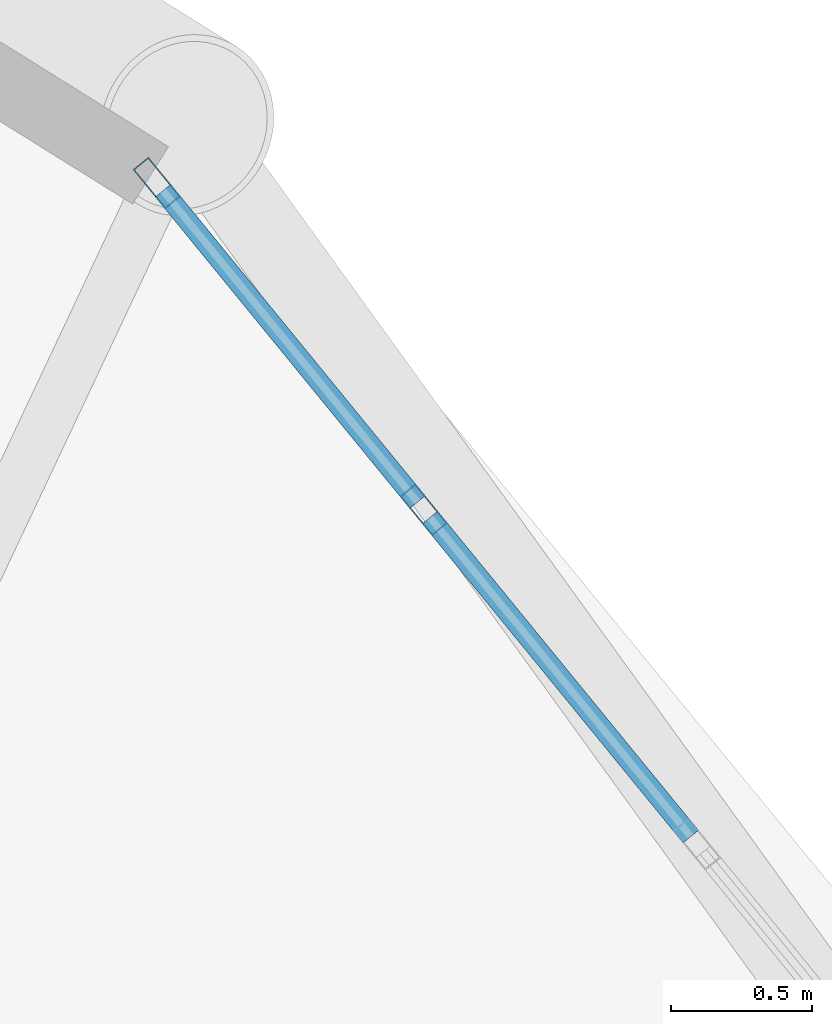
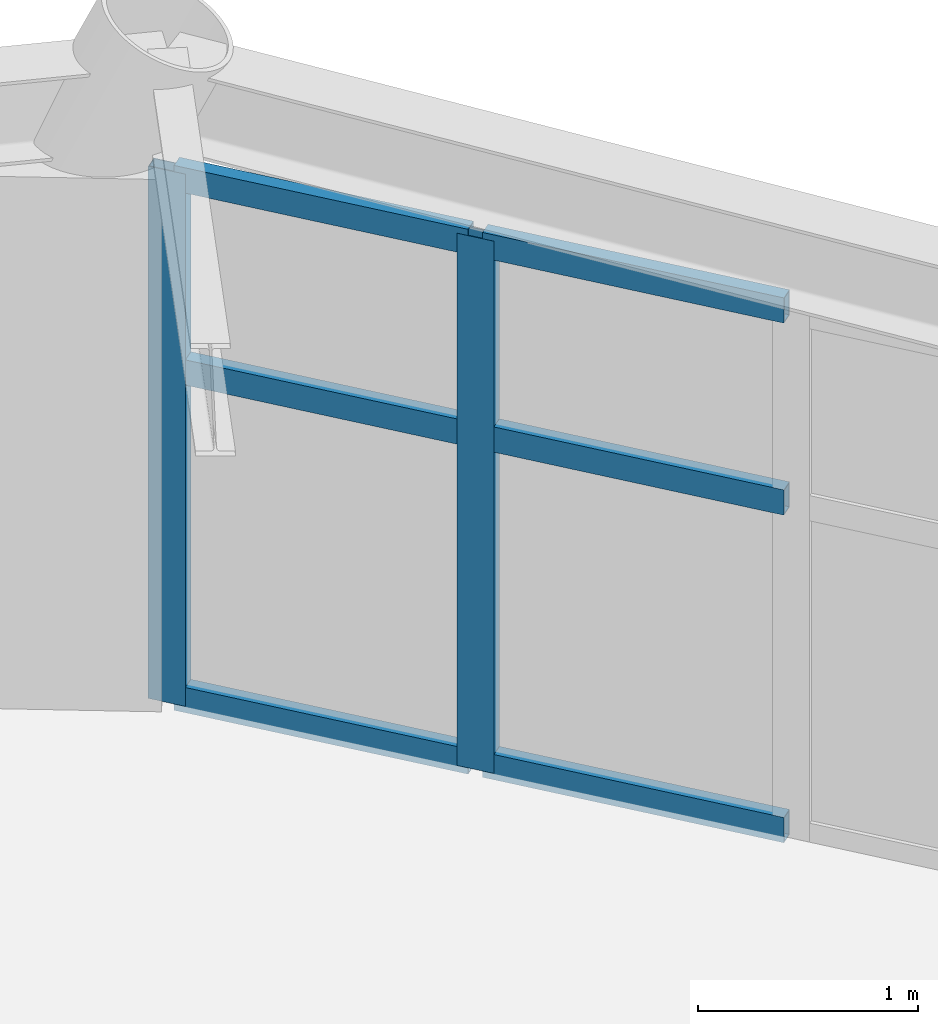
# One storey, part 8 of 19: 8 members, 1 element without a shape of its own.
"""IFC4 building model written with IfcOpenShell, lengths in metres."""

from ifc_helpers import new_model, si_unit, direction, frame, origin, origin_2d, place, context, subcontext, project, spatial, hollow_rectangle, extrude, material, layer, layer_set, material_profile, profile_set, type_object, element, aggregate, save


model = new_model("IFC4")

# Units and contexts
model_context = context("Model", 3, precision=1e-05, world=origin(), true_north=direction((0.0, 1.0)))
body_context = subcontext(model_context, "Body", "Model", "MODEL_VIEW")
ifc_project = project(units=[si_unit("LENGTHUNIT", "METRE"), si_unit("AREAUNIT", "SQUARE_METRE"), si_unit("VOLUMEUNIT", "CUBIC_METRE"), si_unit("PLANEANGLEUNIT", "RADIAN"), si_unit("MASSUNIT", "GRAM", prefix="KILO")], contexts=[model_context])

# Site, building, storey
site_placement = place(None, origin())
site = spatial("IfcSite", under=ifc_project, at=site_placement, CompositionType="ELEMENT")
building_placement = place(site_placement, origin())
building = spatial("IfcBuilding", under=site, at=building_placement, Name="Cununo Teusaquillo Station Towers", CompositionType="ELEMENT")
storey_placement = place(building_placement, frame((0.0, 0.0, 136.60009765625)))
storey = spatial("IfcBuildingStorey", under=building, at=storey_placement, Name="L43", CompositionType="ELEMENT", Elevation=136.60009765625)

# Curtain wall, members
ifc_material_1 = material(Name="Ceramic-fritted dark low-E double glazing", Category="glass")
ifc_layer = layer(ifc_material_1, 0.179931640625)
ifc_layer_set = layer_set([ifc_layer], Name="Ceramic-fritted dark low-E double glazing")
curtain_wall_type = type_object("IfcCurtainWallType", Name="CW-SYS-04", PredefinedType="USERDEFINED", material=ifc_layer_set)
curtain_wall_placement = place(storey_placement, origin())
curtain_wall = element("IfcCurtainWall", 1, at=curtain_wall_placement, inside=storey, type_object=curtain_wall_type, Name="L43 Tower A Facade Curtain Wall C02", ObjectType="FRITTED GLAZING", PredefinedType="USERDEFINED")
ifc_material_2 = material(Name="Anodised dark bronze aluminium EN AW-6063-T6", Category="aluminium")
ifc_material_profile_1 = material_profile(ifc_material_2, hollow_rectangle(XDim=0.070068359375, YDim=0.179931640625, WallThickness=0.00390625, at=origin_2d()), Name="CW-MULL-70x180")
ifc_profile_set_1 = profile_set([ifc_material_profile_1], Name="Anodised dark bronze aluminium EN AW-6063-T6")
member_type_1 = type_object("IfcMemberType", Name="CWM-180", PredefinedType="MULLION", material=ifc_profile_set_1)
member_1_placement = place(storey_placement, frame((25.680419921875, 39.90087890625, 0.0), z_axis=(0.0, 0.0, 1.0), x_axis=(0.774394127889, 0.63270351247, 0.0)))
member_1 = element("IfcMember", 2, at=member_1_placement, type_object=member_type_1, Name="CW-04 mullion 1", PredefinedType="MULLION", context=body_context, shape_type="SweptSolid", body=[
    extrude(hollow_rectangle(XDim=0.070068359375, YDim=0.179931640625, WallThickness=0.00390625, at=origin_2d()), origin(), (0.0, 0.0, 1.0), 2.948974609375),
])
member_2_placement = place(storey_placement, frame((26.6279296875, 38.7412109375, 0.0), z_axis=(0.0, 0.0, 1.0), x_axis=(0.774394127889, 0.63270351247, 0.0)))
member_2 = element("IfcMember", 3, at=member_2_placement, type_object=member_type_1, Name="CW-04 mullion 2", PredefinedType="MULLION", context=body_context, shape_type="SweptSolid", body=[
    extrude(hollow_rectangle(XDim=0.070068359375, YDim=0.179931640625, WallThickness=0.00390625, at=origin_2d()), origin(), (0.0, 0.0, 1.0), 2.948974609375),
])
ifc_material_3 = material(Name="Anodised dark bronze aluminium EN AW-6063-T6", Category="aluminium")
ifc_material_profile_2 = material_profile(ifc_material_3, hollow_rectangle(XDim=0.070068359375, YDim=0.139892578125, WallThickness=0.00390625, at=origin_2d()), Name="CW-TRAN-70x140")
ifc_profile_set_2 = profile_set([ifc_material_profile_2], Name="Anodised dark bronze aluminium EN AW-6063-T6")
member_type_2 = type_object("IfcMemberType", Name="CWT-140", PredefinedType="USERDEFINED", material=ifc_profile_set_2)
member_3_placement = place(storey_placement, frame((25.70263671875, 39.873779296875, 0.034912109375), z_axis=(0.632753407608, -0.774353359365, 0.0), x_axis=(0.774353359365, 0.632753407608, 0.0)))
member_3 = element("IfcMember", 4, at=member_3_placement, type_object=member_type_2, Name="CW-04 transom 1.1", ObjectType="TRANSOM", PredefinedType="USERDEFINED", context=body_context, shape_type="SweptSolid", body=[
    extrude(hollow_rectangle(XDim=0.070068359375, YDim=0.139892578125, WallThickness=0.00390625, at=origin_2d()), origin(), (0.0, 0.0, 1.0), 1.427490234375),
])
member_4_placement = place(storey_placement, frame((25.70263671875, 39.873779296875, 1.849853515625), z_axis=(0.632753407608, -0.774353359365, 0.0), x_axis=(0.774353359365, 0.632753407608, 0.0)))
member_4 = element("IfcMember", 5, at=member_4_placement, type_object=member_type_2, Name="CW-04 transom 1.2", ObjectType="TRANSOM", PredefinedType="USERDEFINED", context=body_context, shape_type="SweptSolid", body=[
    extrude(hollow_rectangle(XDim=0.070068359375, YDim=0.139892578125, WallThickness=0.00390625, at=origin_2d()), origin(), (0.0, 0.0, 1.0), 1.427490234375),
])
member_5_placement = place(storey_placement, frame((25.70263671875, 39.873779296875, 2.913818359375), z_axis=(0.632753407608, -0.774353359365, 0.0), x_axis=(0.774353359365, 0.632753407608, 0.0)))
member_5 = element("IfcMember", 6, at=member_5_placement, type_object=member_type_2, Name="CW-04 transom 1.3", ObjectType="TRANSOM", PredefinedType="USERDEFINED", context=body_context, shape_type="SweptSolid", body=[
    extrude(hollow_rectangle(XDim=0.070068359375, YDim=0.139892578125, WallThickness=0.00390625, at=origin_2d()), origin(), (0.0, 0.0, 1.0), 1.427490234375),
])
member_6_placement = place(storey_placement, frame((26.650146484375, 38.714111328125, 0.034912109375), z_axis=(0.632701424025, -0.774395834207, 0.0), x_axis=(0.774395834207, 0.632701424025, 0.0)))
member_6 = element("IfcMember", 7, at=member_6_placement, type_object=member_type_2, Name="CW-04 transom 2.1", ObjectType="TRANSOM", PredefinedType="USERDEFINED", context=body_context, shape_type="SweptSolid", body=[
    extrude(hollow_rectangle(XDim=0.070068359375, YDim=0.139892578125, WallThickness=0.00390625, at=origin_2d()), origin(), (0.0, 0.0, 1.0), 1.462890625),
])
member_7_placement = place(storey_placement, frame((26.650146484375, 38.714111328125, 1.849853515625), z_axis=(0.632701424025, -0.774395834207, 0.0), x_axis=(0.774395834207, 0.632701424025, 0.0)))
member_7 = element("IfcMember", 8, at=member_7_placement, type_object=member_type_2, Name="CW-04 transom 2.2", ObjectType="TRANSOM", PredefinedType="USERDEFINED", context=body_context, shape_type="SweptSolid", body=[
    extrude(hollow_rectangle(XDim=0.070068359375, YDim=0.139892578125, WallThickness=0.00390625, at=origin_2d()), origin(), (0.0, 0.0, 1.0), 1.462890625),
])
member_8_placement = place(storey_placement, frame((26.650146484375, 38.714111328125, 2.913818359375), z_axis=(0.632701424025, -0.774395834207, 0.0), x_axis=(0.774395834207, 0.632701424025, 0.0)))
member_8 = element("IfcMember", 9, at=member_8_placement, type_object=member_type_2, Name="CW-04 transom 2.3", ObjectType="TRANSOM", PredefinedType="USERDEFINED", context=body_context, shape_type="SweptSolid", body=[
    extrude(hollow_rectangle(XDim=0.070068359375, YDim=0.139892578125, WallThickness=0.00390625, at=origin_2d()), origin(), (0.0, 0.0, 1.0), 1.462890625),
])
aggregate(curtain_wall, [member_1, member_2, member_3, member_4, member_5, member_6, member_7, member_8])

save(model, "model.ifc")
